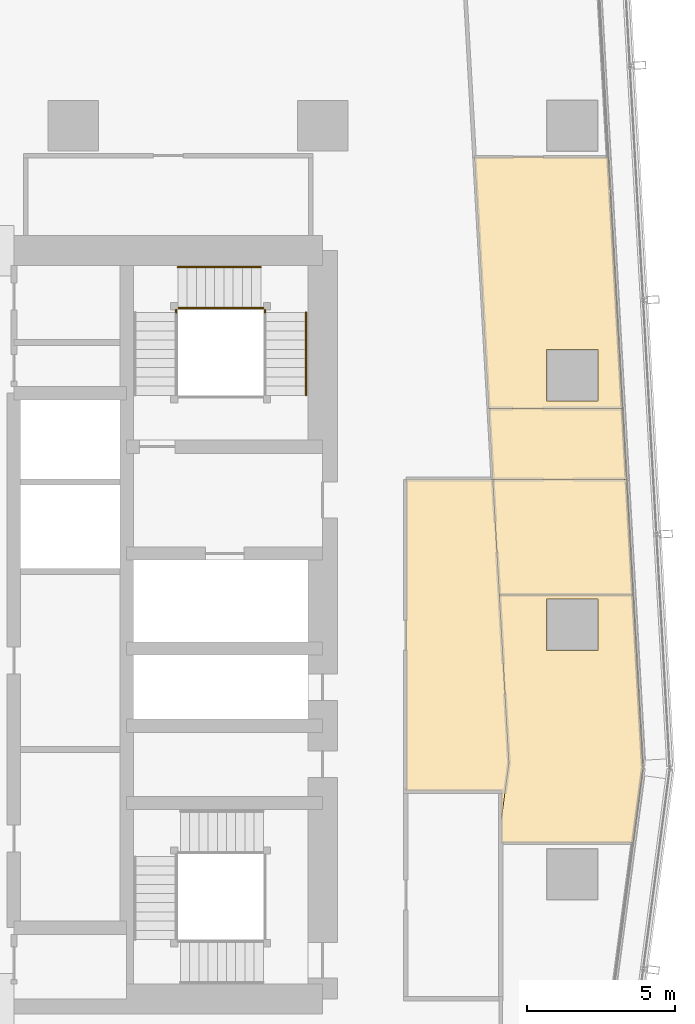
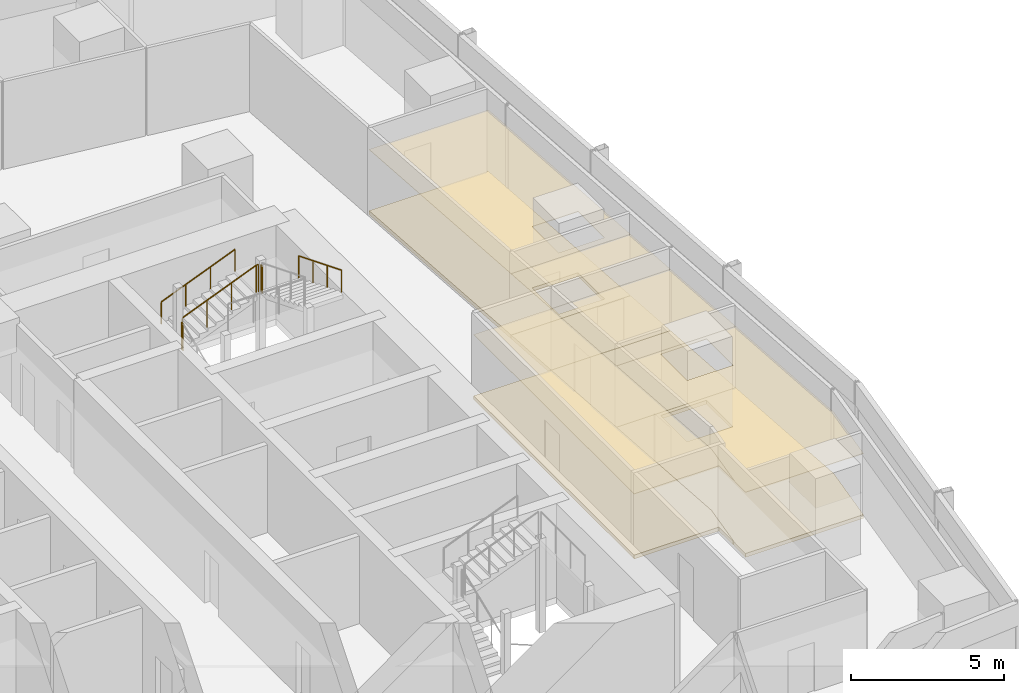
# One storey, part 38 of 39: 10 coverings, 6 railings.
"""IFC4 building model written with IfcOpenShell, lengths in metres."""

from ifc_helpers import new_model, si_unit, direction, frame, origin, origin_2d, place, context, subcontext, project, spatial, polyline, circle, outline, extrude, material, layer, layer_set, type_object, element, save


model = new_model("IFC4")

# Units and contexts
model_context = context("Model", 3, precision=1e-05, world=origin(), true_north=direction((0.0, 1.0)))
body_context = subcontext(model_context, "Body", "Model", "MODEL_VIEW")
ifc_project = project(units=[si_unit("LENGTHUNIT", "METRE"), si_unit("AREAUNIT", "SQUARE_METRE"), si_unit("VOLUMEUNIT", "CUBIC_METRE"), si_unit("PLANEANGLEUNIT", "RADIAN"), si_unit("MASSUNIT", "GRAM", prefix="KILO")], contexts=[model_context])

# Site, building, storey
site_placement = place(None, origin())
site = spatial("IfcSite", under=ifc_project, at=site_placement, CompositionType="ELEMENT")
building_placement = place(site_placement, origin())
building = spatial("IfcBuilding", under=site, at=building_placement, Name="Rekha Terrace Tower", CompositionType="ELEMENT")
storey_placement = place(building_placement, frame((0.0, 0.0, 180.199951171875)))
storey = spatial("IfcBuildingStorey", under=building, at=storey_placement, Name="L45", CompositionType="ELEMENT", Elevation=180.199951171875)

# Coverings
ifc_material_1 = material(Name="Mineral fibre tile in exposed grid", Category="finish")
ifc_layer_1 = layer(ifc_material_1, 0.02001953125)
ifc_layer_set_1 = layer_set([ifc_layer_1], Name="Mineral fibre tile in exposed grid")
covering_type_1 = type_object("IfcCoveringType", Name="CL1 600x1200 office grid ceiling", PredefinedType="CEILING", material=ifc_layer_set_1)
covering_1_placement = place(storey_placement, frame((0.0, 0.0, 2.580078125)))
element("IfcCovering", 1, at=covering_1_placement, inside=storey, type_object=covering_type_1, Name="Ceiling L45-05", PredefinedType="CEILING", context=body_context, shape_type="SweptSolid", body=[
    extrude(outline(polyline([(60.85498046875, 34.60791015625), (56.347900390625, 34.60791015625), (56.6689453125, 28.948974609375), (56.39990234375, 26.91796875), (56.39990234375, 26.256103515625), (60.85205078125, 26.256103515625), (61.18603515625, 28.780029296875), (60.85498046875, 34.60791015625)]), holes=[polyline([(59.6650390625, 34.465087890625), (59.6650390625, 32.735107421875), (57.93505859375, 32.735107421875), (57.93505859375, 34.465087890625), (59.6650390625, 34.465087890625)])]), origin(), (0.0, 0.0, 1.0), 0.02001953125),
])
covering_2_placement = place(storey_placement, frame((0.0, 0.0, 2.580078125)))
element("IfcCovering", 2, at=covering_2_placement, inside=storey, type_object=covering_type_1, Name="Ceiling L45-06", PredefinedType="CEILING", context=body_context, shape_type="SweptSolid", body=[
    extrude(outline(polyline([(56.347900390625, 34.60888671875), (60.85498046875, 34.60888671875), (60.635009765625, 38.493896484375), (56.126953125, 38.493896484375), (56.347900390625, 34.60888671875)])), origin(), (0.0, 0.0, 1.0), 0.02001953125),
])
covering_3_placement = place(storey_placement, frame((0.0, 0.0, 2.580078125)))
element("IfcCovering", 3, at=covering_3_placement, inside=storey, type_object=covering_type_1, Name="Ceiling L45-O1", PredefinedType="CEILING", context=body_context, shape_type="SweptSolid", body=[
    extrude(outline(polyline([(56.6689453125, 28.948974609375), (56.347900390625, 34.60791015625), (56.126953125, 38.493896484375), (53.199951171875, 38.493896484375), (53.199951171875, 28.0), (56.39990234375, 28.0), (56.39990234375, 27.071044921875), (56.419921875, 27.070068359375), (56.6689453125, 28.948974609375)])), origin(), (0.0, 0.0, 1.0), 0.02001953125),
])
covering_4_placement = place(storey_placement, frame((0.0, 0.0, 2.580078125)))
element("IfcCovering", 4, at=covering_4_placement, inside=storey, type_object=covering_type_1, Name="Ceiling L45-10", PredefinedType="CEILING", context=body_context, shape_type="SweptSolid", body=[
    extrude(outline(polyline([(60.4990234375, 40.87890625), (55.991943359375, 40.87890625), (56.126953125, 38.4951171875), (60.635009765625, 38.4951171875), (60.4990234375, 40.87890625)])), origin(), (0.0, 0.0, 1.0), 0.02001953125),
])
covering_5_placement = place(storey_placement, frame((0.0, 0.0, 2.580078125)))
element("IfcCovering", 5, at=covering_5_placement, inside=storey, type_object=covering_type_1, Name="Ceiling L45-11", PredefinedType="CEILING", context=body_context, shape_type="SweptSolid", body=[
    extrude(outline(polyline([(60.01904296875, 49.345947265625), (55.511962890625, 49.345947265625), (55.991943359375, 40.8798828125), (60.4990234375, 40.8798828125), (60.01904296875, 49.345947265625)]), holes=[polyline([(59.6650390625, 41.135009765625), (57.93505859375, 41.135009765625), (57.93505859375, 42.864990234375), (59.6650390625, 42.864990234375), (59.6650390625, 41.135009765625)])]), origin(), (0.0, 0.0, 1.0), 0.02001953125),
])

# Railings
ifc_material_2 = material(Name="Stainless steel balustrade", Category="steel")
railing_type_1 = type_object("IfcRailingType", Name="GR1 1100 stair guard", PredefinedType="GUARDRAIL", material=ifc_material_2)
railing_1_placement = place(storey_placement, frame((45.52490234375, 44.260009765625, 1.375)))
element("IfcRailing", 6, at=railing_1_placement, inside=storey, type_object=railing_type_1, Name="Guard ST2 L45 flight 2", PredefinedType="GUARDRAIL", context=body_context, shape_type="SweptSolid", body=[
    extrude(circle(Radius=0.02392578125, at=origin_2d()), frame((0.0, 0.0, 1.076171875), z_axis=(0.927443287984, 0.0, 0.373963831907), x_axis=(0.0, 1.0, 0.0)), (0.0, 0.0, 1.0), 3.00830078125),
    extrude(circle(Radius=0.02099609375, at=origin_2d()), origin(), (0.0, 0.0, 1.0), 1.052001953125),
    extrude(circle(Radius=0.02099609375, at=origin_2d()), frame((0.929931640625, 0.0, 0.375)), (0.0, 0.0, 1.0), 1.052001953125),
    extrude(circle(Radius=0.02099609375, at=origin_2d()), frame((1.860107421875, 0.0, 0.75)), (0.0, 0.0, 1.0), 1.052001953125),
    extrude(circle(Radius=0.02099609375, at=origin_2d()), frame((2.7900390625, 0.0, 1.125)), (0.0, 0.0, 1.0), 1.052001953125),
])
railing_2_placement = place(storey_placement, frame((45.465087890625, 44.114990234375, 1.25)))
element("IfcRailing", 7, at=railing_2_placement, inside=storey, type_object=railing_type_1, Name="Guard ST2 L45 landing 1", PredefinedType="GUARDRAIL", context=body_context, shape_type="SweptSolid", body=[
    extrude(circle(Radius=0.02392578125, at=origin_2d()), frame((0.0, 0.0, 1.076171875), z_axis=(0.0, 1.0, 0.0), x_axis=(-1.0, 0.0, 0.0)), (0.0, 0.0, 1.0), 0.0849609375),
    extrude(circle(Radius=0.02099609375, at=origin_2d()), origin(), (0.0, 0.0, 1.0), 1.052001953125),
    extrude(circle(Radius=0.02099609375, at=origin_2d()), frame((0.0, 0.0849609375, 0.0)), (0.0, 0.0, 1.0), 1.052001953125),
])
railing_3_placement = place(storey_placement, frame((48.31494140625, 44.260009765625, 2.5)))
element("IfcRailing", 8, at=railing_3_placement, inside=storey, type_object=railing_type_1, Name="Guard ST2 L45 landing 2", PredefinedType="GUARDRAIL", context=body_context, shape_type="SweptSolid", body=[
    extrude(circle(Radius=0.02392578125, at=origin_2d()), frame((0.0, 0.0, 1.076171875), z_axis=(1.0, 0.0, 0.0), x_axis=(0.0, 1.0, 0.0)), (0.0, 0.0, 1.0), 0.0849609375),
    extrude(circle(Radius=0.02099609375, at=origin_2d()), origin(), (0.0, 0.0, 1.0), 1.052001953125),
    extrude(circle(Radius=0.02099609375, at=origin_2d()), frame((0.0849609375, 0.0, 0.0)), (0.0, 0.0, 1.0), 1.052001953125),
])
railing_4_placement = place(storey_placement, frame((48.4599609375, 44.114990234375, 2.5)))
element("IfcRailing", 9, at=railing_4_placement, inside=storey, type_object=railing_type_1, Name="Guard ST2 L45 landing 3", PredefinedType="GUARDRAIL", context=body_context, shape_type="SweptSolid", body=[
    extrude(circle(Radius=0.02392578125, at=origin_2d()), frame((0.0, 0.0, 1.076171875), z_axis=(0.0, 1.0, 0.0), x_axis=(-1.0, 0.0, 0.0)), (0.0, 0.0, 1.0), 0.0849609375),
    extrude(circle(Radius=0.02099609375, at=origin_2d()), origin(), (0.0, 0.0, 1.0), 1.052001953125),
    extrude(circle(Radius=0.02099609375, at=origin_2d()), frame((0.0, 0.0849609375, 0.0)), (0.0, 0.0, 1.0), 1.052001953125),
])
ifc_material_3 = material(Name="Stainless steel tube", Category="steel")
railing_type_2 = type_object("IfcRailingType", Name="HR1 900 stair handrail", PredefinedType="HANDRAIL", material=ifc_material_3)
railing_5_placement = place(storey_placement, frame((45.52490234375, 45.639892578125, 1.375)))
element("IfcRailing", 10, at=railing_5_placement, inside=storey, type_object=railing_type_2, Name="Handrail ST2 L45 flight 2", PredefinedType="HANDRAIL", context=body_context, shape_type="SweptSolid", body=[
    extrude(circle(Radius=0.02392578125, at=origin_2d()), frame((0.0, 0.0, 0.8759765625), z_axis=(0.927443287984, 0.0, 0.373963831907), x_axis=(0.0, 1.0, 0.0)), (0.0, 0.0, 1.0), 3.00830078125),
    extrude(circle(Radius=0.02099609375, at=origin_2d()), origin(), (0.0, 0.0, 1.0), 0.851806640625),
    extrude(circle(Radius=0.02099609375, at=origin_2d()), frame((0.929931640625, 0.0, 0.375)), (0.0, 0.0, 1.0), 0.851806640625),
    extrude(circle(Radius=0.02099609375, at=origin_2d()), frame((1.860107421875, 0.0, 0.75)), (0.0, 0.0, 1.0), 0.851806640625),
    extrude(circle(Radius=0.02099609375, at=origin_2d()), frame((2.7900390625, 0.0, 1.125)), (0.0, 0.0, 1.0), 0.851806640625),
])
railing_6_placement = place(storey_placement, frame((49.840087890625, 44.114990234375, 2.625)))
element("IfcRailing", 11, at=railing_6_placement, inside=storey, type_object=railing_type_2, Name="Handrail ST2 L45 flight 3", PredefinedType="HANDRAIL", context=body_context, shape_type="SweptSolid", body=[
    extrude(circle(Radius=0.02392578125, at=origin_2d()), frame((0.0, 0.0, 0.8759765625), z_axis=(0.0, -0.927443287984, 0.373963831907), x_axis=(1.0, 0.0, 0.0)), (0.0, 0.0, 1.0), 3.00830078125),
    extrude(circle(Radius=0.02099609375, at=origin_2d()), origin(), (0.0, 0.0, 1.0), 0.851806640625),
    extrude(circle(Radius=0.02099609375, at=origin_2d()), frame((0.0, -0.929931640625, 0.375)), (0.0, 0.0, 1.0), 0.851806640625),
    extrude(circle(Radius=0.02099609375, at=origin_2d()), frame((0.0, -1.860107421875, 0.75)), (0.0, 0.0, 1.0), 0.851806640625),
    extrude(circle(Radius=0.02099609375, at=origin_2d()), frame((0.0, -2.7900390625, 1.125)), (0.0, 0.0, 1.0), 0.851806640625),
])

# Coverings
ifc_material_4 = material(Name="Calcium sulphate panels on steel pedestals", Category="steel")
ifc_layer_2 = layer(ifc_material_4, 0.14990234375)
ifc_layer_set_2 = layer_set([ifc_layer_2], Name="Calcium sulphate panels on steel pedestals")
covering_type_2 = type_object("IfcCoveringType", Name="RF1 150 raised access floor", PredefinedType="FLOORING", material=ifc_layer_set_2)
covering_6_placement = place(storey_placement, origin())
element("IfcCovering", 12, at=covering_6_placement, inside=storey, type_object=covering_type_2, Name="Raised floor L45-05", PredefinedType="FLOORING", context=body_context, shape_type="SweptSolid", body=[
    extrude(outline(polyline([(60.85498046875, 34.60791015625), (56.347900390625, 34.60791015625), (56.6689453125, 28.948974609375), (56.39990234375, 26.91796875), (56.39990234375, 26.256103515625), (60.85205078125, 26.256103515625), (61.18603515625, 28.780029296875), (60.85498046875, 34.60791015625)]), holes=[polyline([(59.6650390625, 34.465087890625), (59.6650390625, 32.735107421875), (57.93505859375, 32.735107421875), (57.93505859375, 34.465087890625), (59.6650390625, 34.465087890625)])]), origin(), (0.0, 0.0, 1.0), 0.150146484375),
])
covering_7_placement = place(storey_placement, origin())
element("IfcCovering", 13, at=covering_7_placement, inside=storey, type_object=covering_type_2, Name="Raised floor L45-06", PredefinedType="FLOORING", context=body_context, shape_type="SweptSolid", body=[
    extrude(outline(polyline([(56.347900390625, 34.60888671875), (60.85498046875, 34.60888671875), (60.635009765625, 38.493896484375), (56.126953125, 38.493896484375), (56.347900390625, 34.60888671875)])), origin(), (0.0, 0.0, 1.0), 0.150146484375),
])
covering_8_placement = place(storey_placement, origin())
element("IfcCovering", 14, at=covering_8_placement, inside=storey, type_object=covering_type_2, Name="Raised floor L45-O1", PredefinedType="FLOORING", context=body_context, shape_type="SweptSolid", body=[
    extrude(outline(polyline([(56.6689453125, 28.948974609375), (56.347900390625, 34.60791015625), (56.126953125, 38.493896484375), (53.199951171875, 38.493896484375), (53.199951171875, 28.0), (56.39990234375, 28.0), (56.39990234375, 27.071044921875), (56.419921875, 27.070068359375), (56.6689453125, 28.948974609375)])), origin(), (0.0, 0.0, 1.0), 0.150146484375),
])
covering_9_placement = place(storey_placement, origin())
element("IfcCovering", 15, at=covering_9_placement, inside=storey, type_object=covering_type_2, Name="Raised floor L45-10", PredefinedType="FLOORING", context=body_context, shape_type="SweptSolid", body=[
    extrude(outline(polyline([(60.4990234375, 40.87890625), (55.991943359375, 40.87890625), (56.126953125, 38.4951171875), (60.635009765625, 38.4951171875), (60.4990234375, 40.87890625)])), origin(), (0.0, 0.0, 1.0), 0.150146484375),
])
covering_10_placement = place(storey_placement, origin())
element("IfcCovering", 16, at=covering_10_placement, inside=storey, type_object=covering_type_2, Name="Raised floor L45-11", PredefinedType="FLOORING", context=body_context, shape_type="SweptSolid", body=[
    extrude(outline(polyline([(60.01904296875, 49.345947265625), (55.511962890625, 49.345947265625), (55.991943359375, 40.8798828125), (60.4990234375, 40.8798828125), (60.01904296875, 49.345947265625)]), holes=[polyline([(59.6650390625, 41.135009765625), (57.93505859375, 41.135009765625), (57.93505859375, 42.864990234375), (59.6650390625, 42.864990234375), (59.6650390625, 41.135009765625)])]), origin(), (0.0, 0.0, 1.0), 0.150146484375),
])

save(model, "model.ifc")
